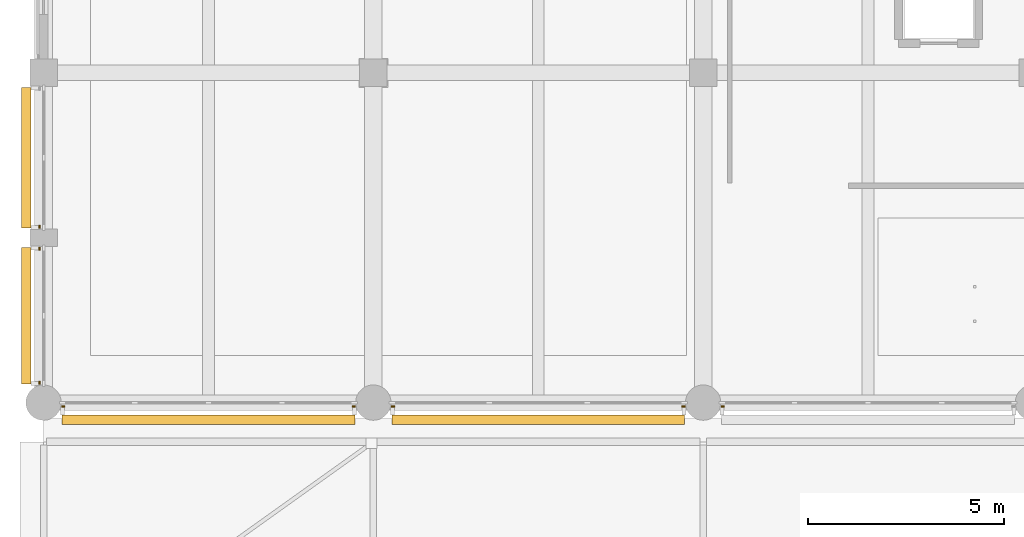
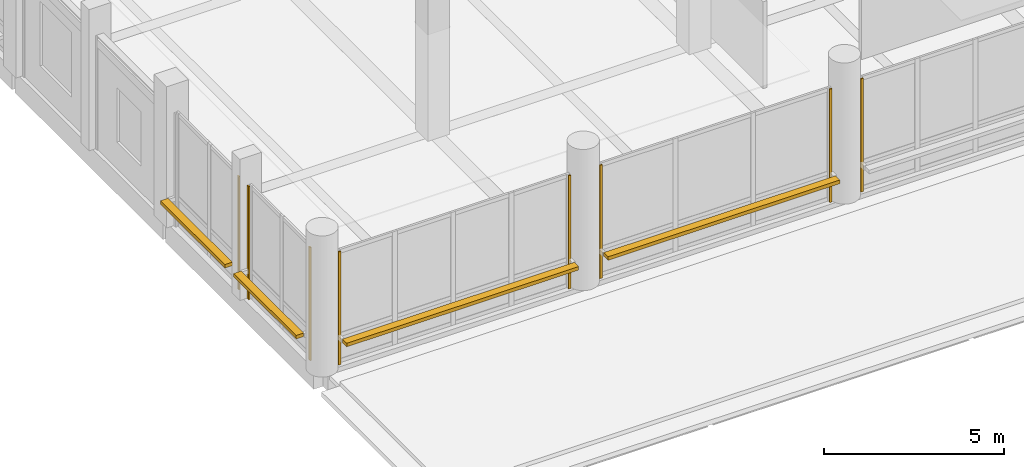
# One storey, part 85 of 128: 8 coverings, 4 shading devices.
"""IFC4 building model written with IfcOpenShell, lengths in metres."""

from ifc_helpers import new_model, si_unit, direction, frame, origin, origin_2d, place, context, subcontext, project, spatial, rectangle, extrude, material, layer, layer_set, type_object, element, save


model = new_model("IFC4")

# Units and contexts
model_context = context("Model", 3, precision=1e-05, world=origin(), true_north=direction((0.0, 1.0)))
body_context = subcontext(model_context, "Body", "Model", "MODEL_VIEW")
ifc_project = project(units=[si_unit("LENGTHUNIT", "METRE"), si_unit("AREAUNIT", "SQUARE_METRE"), si_unit("VOLUMEUNIT", "CUBIC_METRE"), si_unit("PLANEANGLEUNIT", "RADIAN"), si_unit("MASSUNIT", "GRAM", prefix="KILO")], contexts=[model_context])

# Site, building, storey
site_placement = place(None, origin())
site = spatial("IfcSite", under=ifc_project, at=site_placement, CompositionType="ELEMENT")
building_placement = place(site_placement, origin())
building = spatial("IfcBuilding", under=site, at=building_placement, Name="Telukmera Botanical Conservatory", CompositionType="ELEMENT")
storey_placement = place(building_placement, frame((0.0, 0.0, 5.39990234375)))
storey = spatial("IfcBuildingStorey", under=building, at=storey_placement, Name="L01", CompositionType="ELEMENT", Elevation=5.39990234375)

# Coverings
ifc_material_1 = material(Name="Granite-faced precast concrete C40/50", Category="masonry")
ifc_layer_1 = layer(ifc_material_1, 0.0400390625)
ifc_layer_set_1 = layer_set([ifc_layer_1], Name="Granite-faced precast concrete C40/50")
covering_type = type_object("IfcCoveringType", Name="Granite Precast Column Pier Reveal Casing", PredefinedType="CLADDING", material=ifc_layer_set_1)
for number, where, z_axis, x_axis, name in (
    (1, (8.902099609375, 17.5, 0.0), (0.0, 0.0, 1.0), (1.0, 0.0, 0.0), "Granite Pier Reveal V3:L01:S1 L"),
    (2, (16.298095703125, 17.5, 0.0), (0.0, 0.0, 1.0), (1.0, 0.0, 0.0), "Granite Pier Reveal V3:L01:S1 R"),
    (3, (17.302001953125, 17.5, 0.0), (0.0, 0.0, 1.0), (1.0, 0.0, 0.0), "Granite Pier Reveal V3:L01:S2 L"),
    (4, (24.697998046875, 17.5, 0.0), (0.0, 0.0, 1.0), (1.0, 0.0, 0.0), "Granite Pier Reveal V3:L01:S2 R"),
    (5, (25.701904296875, 17.5, 0.0), (0.0, 0.0, 1.0), (1.0, 0.0, 0.0), "Granite Pier Reveal V3:L01:S3 L"),
    (6, (8.300048828125, 18.10205078125, 0.0), (0.0, 0.0, 1.0), (0.0, 1.0, 0.0), "Granite Pier Reveal V3:L01:W1A L"),
    (7, (8.300048828125, 21.52294921875, 0.0), (0.0, 0.0, 1.0), (0.0, 1.0, 0.0), "Granite Pier Reveal V3:L01:W1A R"),
    (8, (8.300048828125, 22.076904296875, 0.0), (0.0, 0.0, 1.0), (0.0, 1.0, 0.0), "Granite Pier Reveal V3:L01:W1B L"),
):
    element("IfcCovering", number, at=place(storey_placement, frame(where, z_axis=z_axis, x_axis=x_axis)), inside=storey, type_object=covering_type, Name=name, PredefinedType="CLADDING", context=body_context, shape_type="SweptSolid", body=[
        extrude(rectangle(XDim=0.080078125, YDim=0.0400390625, at=origin_2d()), origin(), (0.0, 0.0, 1.0), 3.85009765625),
    ])

# Shading devices
ifc_material_2 = material(Name="Perforated terracotta-anodised aluminium 6063-T6", Category="masonry")
ifc_layer_2 = layer(ifc_material_2, 0.044921875)
ifc_layer_set_2 = layer_set([ifc_layer_2], Name="Perforated terracotta-anodised aluminium 6063-T6")
shading_device_type = type_object("IfcShadingDeviceType", Name="Perforated Terracotta Aluminium Monsoon Brise Soleil", PredefinedType="JALOUSIE", material=ifc_layer_set_2)
for number, where, z_axis, x_axis, name in (
    (9, (12.60009765625, 17.159912109375, 0.89013671875), (0.0, 0.0, 1.0), (1.0, 0.0, 0.0), "Monsoon Shading BS01 V3:L01:S1"),
    (10, (21.0, 17.159912109375, 0.89013671875), (0.0, 0.0, 1.0), (1.0, 0.0, 0.0), "Monsoon Shading BS01 V3:L01:S2"),
):
    element("IfcShadingDevice", number, at=place(storey_placement, frame(where, z_axis=z_axis, x_axis=x_axis)), inside=storey, type_object=shading_device_type, Name=name, PredefinedType="JALOUSIE", context=body_context, shape_type="SweptSolid", body=[
        extrude(rectangle(XDim=7.4560546875, YDim=0.239990234375, at=origin_2d()), origin(), (0.0, 0.0, 1.0), 0.1201171875),
    ])
shading_device_1_placement = place(storey_placement, frame((7.9599609375, 19.8125, 0.89013671875), z_axis=(0.0, 0.0, 1.0), x_axis=(0.0, 1.0, 0.0)))
element("IfcShadingDevice", 11, at=shading_device_1_placement, inside=storey, type_object=shading_device_type, Name="Monsoon Shading BS01 V3:L01:W1A", PredefinedType="JALOUSIE", context=body_context, shape_type="SweptSolid", body=[
    extrude(rectangle(XDim=3.48095703125, YDim=0.239990234375, at=origin_2d()), origin(), (0.0, 0.0, 1.0), 0.1201171875),
])
shading_device_2_placement = place(storey_placement, frame((7.9599609375, 23.83740234375, 0.89013671875), z_axis=(0.0, 0.0, 1.0), x_axis=(0.0, 1.0, 0.0)))
element("IfcShadingDevice", 12, at=shading_device_2_placement, inside=storey, type_object=shading_device_type, Name="Monsoon Shading BS01 V3:L01:W1B", PredefinedType="JALOUSIE", context=body_context, shape_type="SweptSolid", body=[
    extrude(rectangle(XDim=3.5810546875, YDim=0.239990234375, at=origin_2d()), origin(), (0.0, 0.0, 1.0), 0.1201171875),
])

save(model, "model.ifc")
